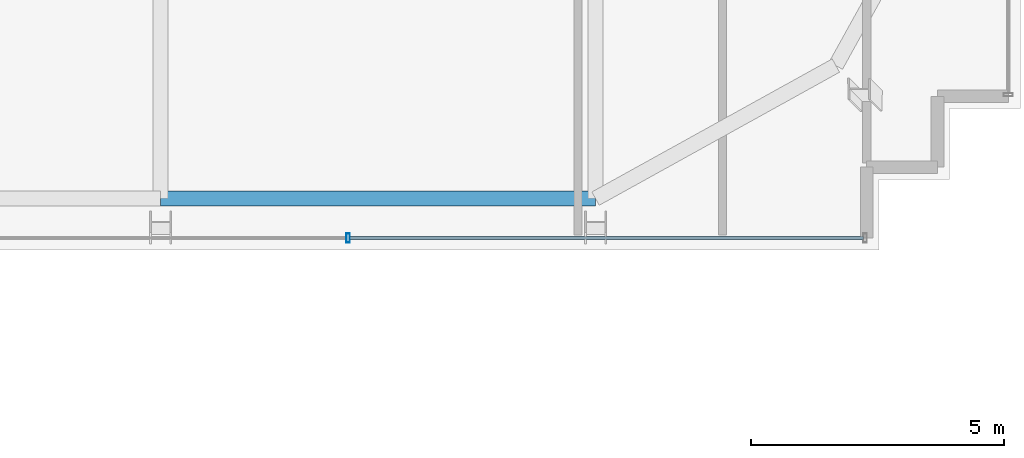
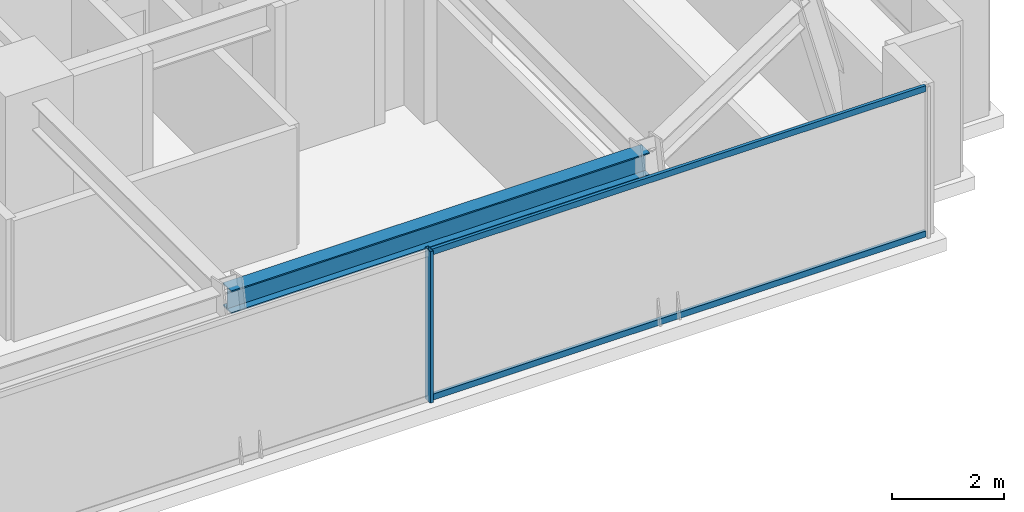
# One storey, part 11 of 35: 3 members, 1 beam, 1 element without a shape of its own.
"""IFC4 building model written with IfcOpenShell, lengths in metres."""

from ifc_helpers import new_model, si_unit, direction, frame, origin, origin_2d, place, context, subcontext, project, spatial, hollow_rectangle, i_section, extrude, source, transform, mapped, material, material_profile, profile_set, type_object, element, aggregate, save


model = new_model("IFC4")

# Units and contexts
model_context = context("Model", 3, precision=1e-05, world=origin(), true_north=direction((0.0, 1.0)))
body_context = subcontext(model_context, "Body", "Model", "MODEL_VIEW")
ifc_project = project(units=[si_unit("LENGTHUNIT", "METRE"), si_unit("AREAUNIT", "SQUARE_METRE"), si_unit("VOLUMEUNIT", "CUBIC_METRE"), si_unit("PLANEANGLEUNIT", "RADIAN"), si_unit("MASSUNIT", "GRAM", prefix="KILO")], contexts=[model_context])

# Site, building, storey
site_placement = place(None, origin())
site = spatial("IfcSite", under=ifc_project, at=site_placement, CompositionType="ELEMENT")
building_placement = place(site_placement, origin())
building = spatial("IfcBuilding", under=site, at=building_placement, Name="Nahalor Promenade Grand Hotel", CompositionType="ELEMENT")
storey_placement = place(building_placement, frame((0.0, 0.0, 79.85009765625)))
storey = spatial("IfcBuildingStorey", under=building, at=storey_placement, Name="L19", CompositionType="ELEMENT", Elevation=79.85009765625)

# Beam
ifc_material_1 = material(Name="Steel S355JR", Category="steel")
ifc_material_profile_1 = material_profile(ifc_material_1, i_section(OverallWidth=0.3, OverallDepth=0.5, WebThickness=0.0145, FlangeThickness=0.028, at=origin_2d()), Name="HEB 500")
ifc_profile_set_1 = profile_set([ifc_material_profile_1], Name="Steel S355JR")
beam_type = type_object("IfcBeamType", Name="Beam-Spandrel-HEB500", PredefinedType="SPANDREL", material=ifc_profile_set_1)
shared_shape_1 = source(origin(), body_context, "Body", "SweptSolid", [
    extrude(i_section(OverallWidth=0.3, OverallDepth=0.5, WebThickness=0.0145, FlangeThickness=0.028, at=origin_2d()), origin(), (0.0, 0.0, 1.0), 8.60009765625),
])
beam_placement = place(storey_placement, frame((8.39990234375, -24.3798828125, 3.039794921875), z_axis=(1.0, 0.0, 0.0), x_axis=(0.0, 1.0, 0.0)))
element("IfcBeam", 1, at=beam_placement, inside=storey, type_object=beam_type, Name="BM-L19-SP-S-4", PredefinedType="SPANDREL", context=body_context, shape_type="MappedRepresentation", body=[
    mapped(shared_shape_1, transform((0.0, 0.0, 0.0), scale=1.0)),
])

# Curtain wall, members
ifc_material_2 = material(Name="Anodised Bronze Aluminium EN AW-6063 T6", Category="aluminium")
curtain_wall_type = type_object("IfcCurtainWallType", Name="CW2 Typical Hotel Flush Bronze Unitised Curtain Wall", PredefinedType="USERDEFINED", material=ifc_material_2)
curtain_wall_placement = place(storey_placement, origin())
curtain_wall = element("IfcCurtainWall", 2, at=curtain_wall_placement, inside=storey, type_object=curtain_wall_type, Name="L19 Curtain Wall CW-L19-S-3", ObjectType="UNITISED_CURTAIN_WALL", PredefinedType="USERDEFINED")
ifc_material_profile_2 = material_profile(ifc_material_2, hollow_rectangle(XDim=0.065, YDim=0.13, WallThickness=0.004, at=origin_2d()), Name="CWT 65x130x4")
ifc_profile_set_2 = profile_set([ifc_material_profile_2], Name="Anodised Bronze Aluminium EN AW-6063 T6")
member_type_1 = type_object("IfcMemberType", Name="CWT2 Typical Bronze Transom 65x130", PredefinedType="USERDEFINED", material=ifc_profile_set_2)
shared_shape_2 = source(origin(), body_context, "Body", "SweptSolid", [
    extrude(hollow_rectangle(XDim=0.065, YDim=0.13, WallThickness=0.004, at=origin_2d()), origin(), (0.0, 0.0, 1.0), 10.15576171875),
])
member_1_placement = place(storey_placement, frame((12.13916015625, -25.159912109375, 0.06494140625), z_axis=(1.0, 0.0, 0.0), x_axis=(0.0, 1.0, 0.0)))
member_1 = element("IfcMember", 3, at=member_1_placement, type_object=member_type_1, Name="CW-L19-S-3 Transom 2-0", ObjectType="TRANSOM", PredefinedType="USERDEFINED", context=body_context, shape_type="MappedRepresentation", body=[
    mapped(shared_shape_2, transform((0.0, 0.0, 0.0), scale=1.0)),
])
member_2_placement = place(storey_placement, frame((12.13916015625, -25.159912109375, 3.224853515625), z_axis=(1.0, 0.0, 0.0), x_axis=(0.0, 1.0, 0.0)))
member_2 = element("IfcMember", 4, at=member_2_placement, type_object=member_type_1, Name="CW-L19-S-3 Transom 2-1", ObjectType="TRANSOM", PredefinedType="USERDEFINED", context=body_context, shape_type="MappedRepresentation", body=[
    mapped(shared_shape_2, transform((0.0, 0.0, 0.0), scale=1.0)),
])
ifc_material_profile_3 = material_profile(ifc_material_2, hollow_rectangle(XDim=0.065, YDim=0.18, WallThickness=0.004, at=origin_2d()), Name="CWM 65x180x4")
ifc_profile_set_3 = profile_set([ifc_material_profile_3], Name="Anodised Bronze Aluminium EN AW-6063 T6")
member_type_2 = type_object("IfcMemberType", Name="CWM2 Typical Bronze Mullion 65x180", PredefinedType="MULLION", material=ifc_profile_set_3)
shared_shape_3 = source(origin(), body_context, "Body", "SweptSolid", [
    extrude(hollow_rectangle(XDim=0.065, YDim=0.18, WallThickness=0.004, at=origin_2d()), origin(), (0.0, 0.0, 1.0), 3.289794921875),
])
member_3_placement = place(storey_placement, frame((12.106689453125, -25.159912109375, 0.0), z_axis=(0.0, 0.0, 1.0), x_axis=(1.0, 0.0, 0.0)))
member_3 = element("IfcMember", 5, at=member_3_placement, type_object=member_type_2, Name="CW-L19-S-3 Mullion 2", PredefinedType="MULLION", context=body_context, shape_type="MappedRepresentation", body=[
    mapped(shared_shape_3, transform((0.0, 0.0, 0.0), scale=1.0)),
])
aggregate(curtain_wall, [member_3, member_1, member_2])

save(model, "model.ifc")
